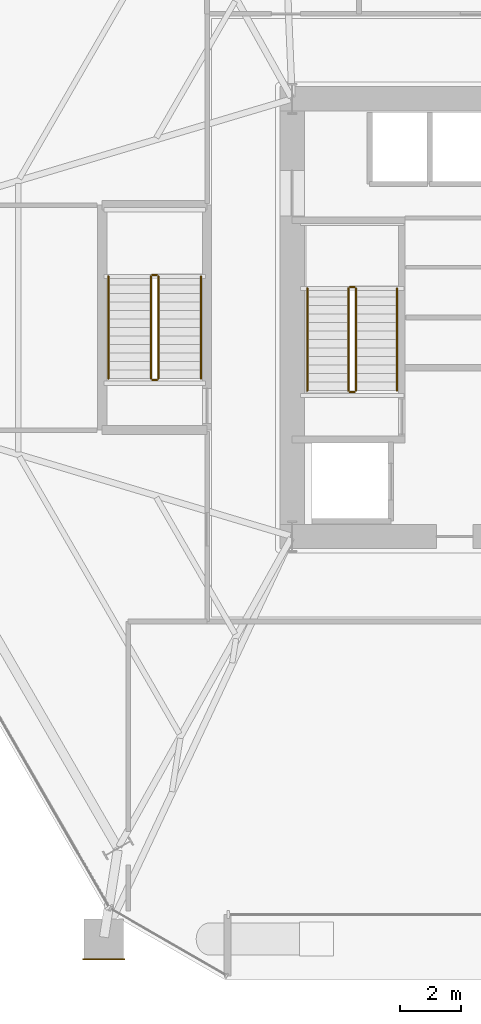
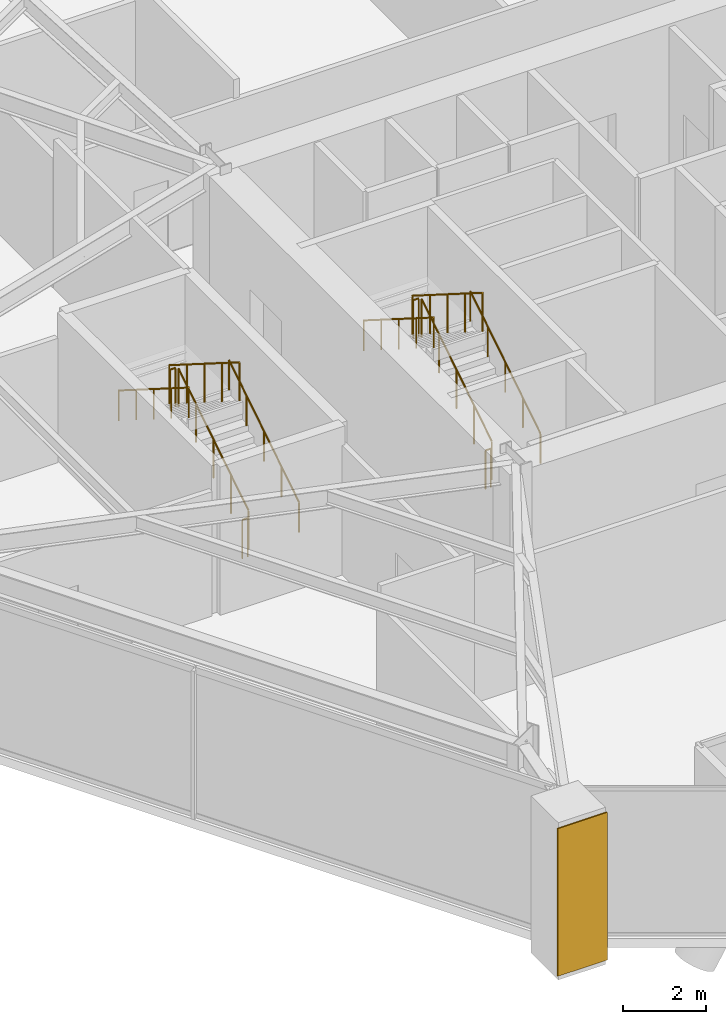
# One storey, part 20 of 23: 12 railings, 1 covering.
"""IFC4 building model written with IfcOpenShell, lengths in metres."""

import ifcopenshell
import ifcopenshell.guid

model = None  # the IFC model being written
_history = None  # IfcOwnerHistory: only IFC2X3 demands one
_inside = {}  # id of a spatial element -> (the spatial element, [elements in it])
_under = {}  # id of a project, library or spatial element -> (it, [spatial elements below it])
_declared = {}  # id of a project -> (the project, [libraries it declares])
_typed = {}  # id of a type object -> (the type object, [elements of that type])
_made_of = {}  # id of a material, layer set ... -> (it, [elements and type objects made of it])


def new_model(schema):
    """Start an empty IFC model of exactly this schema.

    Asked for "IFC4X3", IfcOpenShell would pick the latest addendum, in which some entities
    have other attributes; the version numbers below select the first issue.
    IFC2X3 requires an IfcOwnerHistory on every rooted entity: one is made here for all.
    """
    global model, _history
    if schema == "IFC4X3":
        model = ifcopenshell.file(schema_version=(4, 3, 0, 0))
    else:
        model = ifcopenshell.file(schema=schema)
    _inside.clear()
    _under.clear()
    _declared.clear()
    _typed.clear()
    _made_of.clear()
    _history = None
    if model.schema == "IFC2X3":
        org = make("IfcOrganization", Name="unknown")
        user = make(
            "IfcPersonAndOrganization",
            ThePerson=make("IfcPerson", FamilyName="unknown"),
            TheOrganization=org,
        )
        app = make(
            "IfcApplication",
            ApplicationDeveloper=org,
            Version="unknown",
            ApplicationFullName="unknown",
            ApplicationIdentifier="unknown",
        )
        _history = make(
            "IfcOwnerHistory",
            OwningUser=user,
            OwningApplication=app,
            ChangeAction="ADDED",
            CreationDate=0,
        )
    return model


def make(cls, **values):
    """One entity of the class cls with the attributes given. An attribute that is None is left unset."""
    return model.create_entity(
        cls, **{name: value for name, value in values.items() if value is not None}
    )


def rooted(cls, **values):
    """An entity with a GlobalId (a new one), such as an element, a storey or a relation."""
    return make(cls, GlobalId=ifcopenshell.guid.new(), OwnerHistory=_history, **values)


def si_unit(unit_type, name, prefix=None):
    """IfcSIUnit, for example si_unit("LENGTHUNIT", "METRE", prefix="MILLI")."""
    return make("IfcSIUnit", UnitType=unit_type, Prefix=prefix, Name=name)


def assignment(units):
    """IfcUnitAssignment: the units of a project."""
    return None if units is None else make("IfcUnitAssignment", Units=units)


def point(xyz):
    """IfcCartesianPoint."""
    return None if xyz is None else make("IfcCartesianPoint", Coordinates=xyz)


def direction(xyz):
    """IfcDirection."""
    return None if xyz is None else make("IfcDirection", DirectionRatios=xyz)


def frame(location, z_axis=None, x_axis=None):
    """IfcAxis2Placement3D, a coordinate frame: its origin and axes. An axis left out is left unset."""
    return make(
        "IfcAxis2Placement3D",
        Location=point(location),
        Axis=direction(z_axis),
        RefDirection=direction(x_axis),
    )


def frame_2d(location, x_axis=None):
    """IfcAxis2Placement2D, a coordinate frame in the plane: its origin and x axis."""
    return make(
        "IfcAxis2Placement2D", Location=point(location), RefDirection=direction(x_axis)
    )


def origin():
    """The frame at (0, 0, 0) with its axes left unset."""
    return frame((0.0, 0.0, 0.0))


def origin_2d():
    """The frame at (0, 0) in the plane with its x axis left unset."""
    return frame_2d((0.0, 0.0))


def place(relative_to, where):
    """IfcLocalPlacement: puts the frame where relative to a parent placement (None: the world)."""
    return make(
        "IfcLocalPlacement", PlacementRelTo=relative_to, RelativePlacement=where
    )


def context(
    kind, dimensions, precision=None, world=None, true_north=None, identifier=None
):
    """IfcGeometricRepresentationContext, for example the 3D "Model" context."""
    return make(
        "IfcGeometricRepresentationContext",
        ContextIdentifier=identifier,
        ContextType=kind,
        CoordinateSpaceDimension=dimensions,
        Precision=precision,
        WorldCoordinateSystem=world,
        TrueNorth=true_north,
    )


def subcontext(parent, identifier, kind, view, scale=None):
    """IfcGeometricRepresentationSubContext, for example "Body" below "Model"."""
    return make(
        "IfcGeometricRepresentationSubContext",
        ContextIdentifier=identifier,
        ContextType=kind,
        ParentContext=parent,
        TargetScale=scale,
        TargetView=view,
    )


def project(units=None, contexts=None):
    """IfcProject with its units and contexts."""
    return rooted(
        "IfcProject",
        Name="project",
        RepresentationContexts=contexts,
        UnitsInContext=assignment(units),
    )


def spatial(cls, under=None, at=None, **own):
    """A site, building, storey or space (cls), placed at a placement, below another one or the project."""
    s = rooted(cls, ObjectPlacement=at, **own)
    if under is not None:
        _under.setdefault(under.id(), (under, []))[1].append(s)
    return s


def profile(cls, at=None, kind="AREA", **sizes):
    """A parametric profile (cls). Its sizes go by their IFC names, for example OverallWidth=200.0."""
    return make(cls, ProfileType=kind, Position=at, **sizes)


def rectangle(**sizes):
    """IfcRectangleProfileDef."""
    return profile("IfcRectangleProfileDef", **sizes)


def circle(**sizes):
    """IfcCircleProfileDef."""
    return profile("IfcCircleProfileDef", **sizes)


def extrude(swept, where, along, depth):
    """IfcExtrudedAreaSolid: the profile swept, set in the frame where, extruded along a direction by depth."""
    return make(
        "IfcExtrudedAreaSolid",
        SweptArea=swept,
        Position=where,
        ExtrudedDirection=direction(along),
        Depth=depth,
    )


def shape(context_of_items, identifier, shape_type, items):
    """IfcShapeRepresentation: the items that make up one representation, for example the "Body"."""
    return make(
        "IfcShapeRepresentation",
        ContextOfItems=context_of_items,
        RepresentationIdentifier=identifier,
        RepresentationType=shape_type,
        Items=items,
    )


def material(Name=None, Category=None):
    """IfcMaterial."""
    return make("IfcMaterial", Name=Name, Category=Category)


def layer(
    of_material, thickness, ventilated=None, Name=None, Category=None, Priority=None
):
    """IfcMaterialLayer: one layer of a wall or slab, of a material (None: an air gap)."""
    return make(
        "IfcMaterialLayer",
        Material=of_material,
        LayerThickness=thickness,
        IsVentilated=ventilated,
        Name=Name,
        Category=Category,
        Priority=Priority,
    )


def layer_set(layers, Name=None):
    """IfcMaterialLayerSet."""
    return make("IfcMaterialLayerSet", MaterialLayers=layers, LayerSetName=Name)


def made_of(thing, what):
    """Note that an element or type object is made of a material, layer set ...; save() writes the relation."""
    if what is not None:
        _made_of.setdefault(what.id(), (what, []))[1].append(thing)
    return thing


def type_object(cls, material=None, **own):
    """A type object (cls), such as IfcWallType, which elements share."""
    return made_of(rooted(cls, **own), material)


def element(
    cls,
    number,
    at=None,
    inside=None,
    cuts=None,
    type_object=None,
    material=None,
    context=None,
    identifier="Body",
    shape_type=None,
    held_by="IfcProductDefinitionShape",
    body=None,
    shapes=None,
    **own,
):
    """One element of the class cls, such as IfcWall. Its Tag is "e" and its number.

    at: its placement. inside: the storey or other place that contains it. cuts: it is an
    opening in that element (IfcRelVoidsElement). A single representation is given by context,
    identifier, shape_type and body (its items); several are given by shapes. held_by: the class
    of the entity that holds the representations. save() writes the other relations.
    """
    e = rooted(cls, Tag="e%d" % number, ObjectPlacement=at, **own)
    if body is not None:
        shapes = [shape(context, identifier, shape_type, body)]
    if shapes is not None:
        e.Representation = make(held_by, Representations=shapes)
    if inside is not None:
        _inside.setdefault(inside.id(), (inside, []))[1].append(e)
    if cuts is not None:
        rooted(
            "IfcRelVoidsElement", RelatingBuildingElement=cuts, RelatedOpeningElement=e
        )
    if type_object is not None:
        _typed.setdefault(type_object.id(), (type_object, []))[1].append(e)
    return made_of(e, material)


def aggregate(whole, parts):
    """IfcRelAggregates: a whole, such as a stair, and the parts it consists of."""
    return rooted("IfcRelAggregates", RelatingObject=whole, RelatedObjects=parts)


def save(model, path):
    """Write the relations noted so far, then the file.

    IfcRelAggregates (storeys below a building ...), IfcRelContainedInSpatialStructure (elements
    in a storey), IfcRelDefinesByType, IfcRelAssociatesMaterial and IfcRelDeclares: one each for
    every whole, place, type object, material and project.
    """
    for whole, parts in _under.values():
        aggregate(whole, parts)
    for where, things in _inside.values():
        rooted(
            "IfcRelContainedInSpatialStructure",
            RelatedElements=things,
            RelatingStructure=where,
        )
    for kind, things in _typed.values():
        rooted("IfcRelDefinesByType", RelatedObjects=things, RelatingType=kind)
    for what, things in _made_of.values():
        rooted("IfcRelAssociatesMaterial", RelatedObjects=things, RelatingMaterial=what)
    for by, libraries in _declared.values():
        rooted("IfcRelDeclares", RelatingContext=by, RelatedDefinitions=libraries)
    model.write(path)


model = new_model("IFC4")

# Units and contexts
model_context = context("Model", 3, precision=1e-05, world=origin(), true_north=direction((0.0, 1.0)))
body_context = subcontext(model_context, "Body", "Model", "MODEL_VIEW")
ifc_project = project(units=[si_unit("LENGTHUNIT", "METRE"), si_unit("AREAUNIT", "SQUARE_METRE"), si_unit("VOLUMEUNIT", "CUBIC_METRE"), si_unit("PLANEANGLEUNIT", "RADIAN"), si_unit("MASSUNIT", "GRAM", prefix="KILO")], contexts=[model_context])

# Site, building, storey
site_placement = place(None, origin())
site = spatial("IfcSite", under=ifc_project, at=site_placement, CompositionType="ELEMENT")
building_placement = place(site_placement, origin())
building = spatial("IfcBuilding", under=site, at=building_placement, Name="Kranzbogen Civic Tower", CompositionType="ELEMENT")
storey_placement = place(building_placement, frame((0.0, 0.0, 9.800048828125)))
storey = spatial("IfcBuildingStorey", under=building, at=storey_placement, Name="L02", CompositionType="ELEMENT", Elevation=9.800048828125)

# Railings
ifc_material_1 = material(Name="Steel S355", Category="steel")
railing_type_1 = type_object("IfcRailingType", Name="Internal Stair and Void Steel Guardrail 1150", PredefinedType="GUARDRAIL", material=ifc_material_1)
railing_1_placement = place(storey_placement, frame((19.300048828125, 22.60009765625, 0.1767578125)))
element("IfcRailing", 1, at=railing_1_placement, inside=storey, type_object=railing_type_1, Name="L02 ST-T1 stair guard 1", PredefinedType="GUARDRAIL", context=body_context, shape_type="SweptSolid", body=[
    extrude(circle(Radius=0.02392578125, at=origin_2d()), frame((0.0, 0.0, 1.1259765625), z_axis=(0.0, 0.845344368971, 0.534221768416), x_axis=(-1.0, 0.0, 0.0)), (0.0, 0.0, 1.0), 3.974609375),
    extrude(circle(Radius=0.02099609375, at=origin_2d()), origin(), (0.0, 0.0, 1.0), 1.101806640625),
    extrude(circle(Radius=0.02099609375, at=origin_2d()), frame((0.0, 0.83984375, 0.53076171875)), (0.0, 0.0, 1.0), 1.101806640625),
    extrude(circle(Radius=0.02099609375, at=origin_2d()), frame((0.0, 1.679931640625, 1.0615234375)), (0.0, 0.0, 1.0), 1.101806640625),
    extrude(circle(Radius=0.02099609375, at=origin_2d()), frame((0.0, 2.52001953125, 1.592529296875)), (0.0, 0.0, 1.0), 1.101806640625),
    extrude(circle(Radius=0.02099609375, at=origin_2d()), frame((0.0, 3.35986328125, 2.123291015625)), (0.0, 0.0, 1.0), 1.101806640625),
])
railing_2_placement = place(storey_placement, frame((19.25, 26.010009765625, 2.300048828125)))
element("IfcRailing", 2, at=railing_2_placement, inside=storey, type_object=railing_type_1, Name="L02 ST-T1 stair guard 2", PredefinedType="GUARDRAIL", context=body_context, shape_type="SweptSolid", body=[
    extrude(circle(Radius=0.02392578125, at=origin_2d()), frame((0.0, 0.0, 1.1259765625), z_axis=(-1.0, 0.0, 0.0), x_axis=(0.0, -1.0, 0.0)), (0.0, 0.0, 1.0), 0.14990234375),
    extrude(circle(Radius=0.02099609375, at=origin_2d()), origin(), (0.0, 0.0, 1.0), 1.101806640625),
    extrude(circle(Radius=0.02099609375, at=origin_2d()), frame((-0.14990234375, 0.0, 0.0)), (0.0, 0.0, 1.0), 1.101806640625),
])
railing_3_placement = place(storey_placement, frame((19.050048828125, 25.9599609375, 2.476806640625)))
element("IfcRailing", 3, at=railing_3_placement, inside=storey, type_object=railing_type_1, Name="L02 ST-T1 stair guard 3", PredefinedType="GUARDRAIL", context=body_context, shape_type="SweptSolid", body=[
    extrude(circle(Radius=0.02392578125, at=origin_2d()), frame((0.0, 0.0, 1.1259765625), z_axis=(0.0, -0.845372108799, 0.534177870812), x_axis=(1.0, 0.0, 0.0)), (0.0, 0.0, 1.0), 3.974365234375),
    extrude(circle(Radius=0.02099609375, at=origin_2d()), origin(), (0.0, 0.0, 1.0), 1.101806640625),
    extrude(circle(Radius=0.02099609375, at=origin_2d()), frame((0.0, -0.83984375, 0.53076171875)), (0.0, 0.0, 1.0), 1.101806640625),
    extrude(circle(Radius=0.02099609375, at=origin_2d()), frame((0.0, -1.679931640625, 1.0615234375)), (0.0, 0.0, 1.0), 1.101806640625),
    extrude(circle(Radius=0.02099609375, at=origin_2d()), frame((0.0, -2.52001953125, 1.59228515625)), (0.0, 0.0, 1.0), 1.101806640625),
    extrude(circle(Radius=0.02099609375, at=origin_2d()), frame((0.0, -3.35986328125, 2.123046875)), (0.0, 0.0, 1.0), 1.101806640625),
])
railing_4_placement = place(storey_placement, frame((19.25, 22.550048828125, 0.0)))
element("IfcRailing", 4, at=railing_4_placement, inside=storey, type_object=railing_type_1, Name="L02 ST-T1 stair guard 4", PredefinedType="GUARDRAIL", context=body_context, shape_type="SweptSolid", body=[
    extrude(circle(Radius=0.02392578125, at=origin_2d()), frame((0.0, 0.0, 1.1259765625), z_axis=(-1.0, 0.0, 0.0), x_axis=(0.0, -1.0, 0.0)), (0.0, 0.0, 1.0), 0.14990234375),
    extrude(circle(Radius=0.02099609375, at=origin_2d()), origin(), (0.0, 0.0, 1.0), 1.101806640625),
    extrude(circle(Radius=0.02099609375, at=origin_2d()), frame((-0.14990234375, 0.0, 0.0)), (0.0, 0.0, 1.0), 1.101806640625),
])
railing_5_placement = place(storey_placement, frame((12.800048828125, 23.0, 0.1767578125)))
element("IfcRailing", 5, at=railing_5_placement, inside=storey, type_object=railing_type_1, Name="L02 ST-P1 stair guard 1", PredefinedType="GUARDRAIL", context=body_context, shape_type="SweptSolid", body=[
    extrude(circle(Radius=0.02392578125, at=origin_2d()), frame((0.0, 0.0, 1.1259765625), z_axis=(0.0, 0.845361898145, 0.534194029511), x_axis=(-1.0, 0.0, 0.0)), (0.0, 0.0, 1.0), 3.974853515625),
    extrude(circle(Radius=0.02099609375, at=origin_2d()), origin(), (0.0, 0.0, 1.0), 1.101806640625),
    extrude(circle(Radius=0.02099609375, at=origin_2d()), frame((0.0, 0.840087890625, 0.53076171875)), (0.0, 0.0, 1.0), 1.101806640625),
    extrude(circle(Radius=0.02099609375, at=origin_2d()), frame((0.0, 1.68017578125, 1.0615234375)), (0.0, 0.0, 1.0), 1.101806640625),
    extrude(circle(Radius=0.02099609375, at=origin_2d()), frame((0.0, 2.52001953125, 1.592529296875)), (0.0, 0.0, 1.0), 1.101806640625),
    extrude(circle(Radius=0.02099609375, at=origin_2d()), frame((0.0, 3.360107421875, 2.123291015625)), (0.0, 0.0, 1.0), 1.101806640625),
])
railing_6_placement = place(storey_placement, frame((12.75, 26.409912109375, 2.300048828125)))
element("IfcRailing", 6, at=railing_6_placement, inside=storey, type_object=railing_type_1, Name="L02 ST-P1 stair guard 2", PredefinedType="GUARDRAIL", context=body_context, shape_type="SweptSolid", body=[
    extrude(circle(Radius=0.02392578125, at=origin_2d()), frame((0.0, 0.0, 1.1259765625), z_axis=(-1.0, 0.0, 0.0), x_axis=(0.0, -1.0, 0.0)), (0.0, 0.0, 1.0), 0.14990234375),
    extrude(circle(Radius=0.02099609375, at=origin_2d()), origin(), (0.0, 0.0, 1.0), 1.101806640625),
    extrude(circle(Radius=0.02099609375, at=origin_2d()), frame((-0.14990234375, 0.0, 0.0)), (0.0, 0.0, 1.0), 1.101806640625),
])
railing_7_placement = place(storey_placement, frame((12.550048828125, 26.360107421875, 2.476806640625)))
element("IfcRailing", 7, at=railing_7_placement, inside=storey, type_object=railing_type_1, Name="L02 ST-P1 stair guard 3", PredefinedType="GUARDRAIL", context=body_context, shape_type="SweptSolid", body=[
    extrude(circle(Radius=0.02392578125, at=origin_2d()), frame((0.0, 0.0, 1.1259765625), z_axis=(0.0, -0.845389635667, 0.534150132366), x_axis=(1.0, 0.0, 0.0)), (0.0, 0.0, 1.0), 3.974609375),
    extrude(circle(Radius=0.02099609375, at=origin_2d()), origin(), (0.0, 0.0, 1.0), 1.101806640625),
    extrude(circle(Radius=0.02099609375, at=origin_2d()), frame((0.0, -0.840087890625, 0.53076171875)), (0.0, 0.0, 1.0), 1.101806640625),
    extrude(circle(Radius=0.02099609375, at=origin_2d()), frame((0.0, -1.68017578125, 1.0615234375)), (0.0, 0.0, 1.0), 1.101806640625),
    extrude(circle(Radius=0.02099609375, at=origin_2d()), frame((0.0, -2.52001953125, 1.59228515625)), (0.0, 0.0, 1.0), 1.101806640625),
    extrude(circle(Radius=0.02099609375, at=origin_2d()), frame((0.0, -3.360107421875, 2.123046875)), (0.0, 0.0, 1.0), 1.101806640625),
])
railing_8_placement = place(storey_placement, frame((12.75, 22.949951171875, 0.0)))
element("IfcRailing", 8, at=railing_8_placement, inside=storey, type_object=railing_type_1, Name="L02 ST-P1 stair guard 4", PredefinedType="GUARDRAIL", context=body_context, shape_type="SweptSolid", body=[
    extrude(circle(Radius=0.02392578125, at=origin_2d()), frame((0.0, 0.0, 1.1259765625), z_axis=(-1.0, 0.0, 0.0), x_axis=(0.0, -1.0, 0.0)), (0.0, 0.0, 1.0), 0.14990234375),
    extrude(circle(Radius=0.02099609375, at=origin_2d()), origin(), (0.0, 0.0, 1.0), 1.101806640625),
    extrude(circle(Radius=0.02099609375, at=origin_2d()), frame((-0.14990234375, 0.0, 0.0)), (0.0, 0.0, 1.0), 1.101806640625),
])

# Covering
ifc_material_2 = material(Name="Anodised Bronze Aluminium", Category="aluminium")
ifc_layer = layer(ifc_material_2, 0.034912109375, Name="Anodised Bronze Aluminium")
ifc_layer_set = layer_set([ifc_layer], Name="Anodised Bronze Aluminium")
covering_type = type_object("IfcCoveringType", Name="Portal Arch Pier Anodised Metal Cladding 35 mm", PredefinedType="CLADDING", material=ifc_layer_set)
covering_placement = place(storey_placement, frame((11.0, 3.882080078125, 0.14013671875), z_axis=(0.0, 0.0, 1.0), x_axis=(1.0, 0.0, 0.0)))
element("IfcCovering", 9, at=covering_placement, inside=storey, type_object=covering_type, Name="L02 portal arch pier 1 cladding", PredefinedType="CLADDING", context=body_context, shape_type="SweptSolid", body=[
    extrude(rectangle(XDim=1.3701171875, YDim=0.034912109375, at=origin_2d()), origin(), (0.0, 0.0, 1.0), 4.320068359375),
])

# Railings
ifc_material_3 = material(Name="Pale Anodised Aluminium", Category="aluminium")
railing_type_2 = type_object("IfcRailingType", Name="Tubular Stainless Stair Wall Handrail 900", PredefinedType="HANDRAIL", material=ifc_material_3)
railing_9_placement = place(storey_placement, frame((20.64990234375, 22.60009765625, 0.1767578125)))
element("IfcRailing", 10, at=railing_9_placement, inside=storey, type_object=railing_type_2, Name="L02 ST-T1 stair handrail 1", PredefinedType="HANDRAIL", context=body_context, shape_type="SweptSolid", body=[
    extrude(circle(Radius=0.02392578125, at=origin_2d()), frame((0.0, 0.0, 0.8759765625), z_axis=(0.0, 0.845344368971, 0.534221768416), x_axis=(-1.0, 0.0, 0.0)), (0.0, 0.0, 1.0), 3.974609375),
    extrude(circle(Radius=0.02099609375, at=origin_2d()), origin(), (0.0, 0.0, 1.0), 0.851806640625),
    extrude(circle(Radius=0.02099609375, at=origin_2d()), frame((0.0, 0.83984375, 0.53076171875)), (0.0, 0.0, 1.0), 0.851806640625),
    extrude(circle(Radius=0.02099609375, at=origin_2d()), frame((0.0, 1.679931640625, 1.0615234375)), (0.0, 0.0, 1.0), 0.851806640625),
    extrude(circle(Radius=0.02099609375, at=origin_2d()), frame((0.0, 2.52001953125, 1.592529296875)), (0.0, 0.0, 1.0), 0.851806640625),
    extrude(circle(Radius=0.02099609375, at=origin_2d()), frame((0.0, 3.35986328125, 2.123291015625)), (0.0, 0.0, 1.0), 0.851806640625),
])
railing_10_placement = place(storey_placement, frame((17.699951171875, 25.9599609375, 2.476806640625)))
element("IfcRailing", 11, at=railing_10_placement, inside=storey, type_object=railing_type_2, Name="L02 ST-T1 stair handrail 2", PredefinedType="HANDRAIL", context=body_context, shape_type="SweptSolid", body=[
    extrude(circle(Radius=0.02392578125, at=origin_2d()), frame((0.0, 0.0, 0.8759765625), z_axis=(0.0, -0.845372108799, 0.534177870812), x_axis=(1.0, 0.0, 0.0)), (0.0, 0.0, 1.0), 3.974365234375),
    extrude(circle(Radius=0.02099609375, at=origin_2d()), origin(), (0.0, 0.0, 1.0), 0.851806640625),
    extrude(circle(Radius=0.02099609375, at=origin_2d()), frame((0.0, -0.83984375, 0.53076171875)), (0.0, 0.0, 1.0), 0.851806640625),
    extrude(circle(Radius=0.02099609375, at=origin_2d()), frame((0.0, -1.679931640625, 1.0615234375)), (0.0, 0.0, 1.0), 0.851806640625),
    extrude(circle(Radius=0.02099609375, at=origin_2d()), frame((0.0, -2.52001953125, 1.59228515625)), (0.0, 0.0, 1.0), 0.851806640625),
    extrude(circle(Radius=0.02099609375, at=origin_2d()), frame((0.0, -3.35986328125, 2.123046875)), (0.0, 0.0, 1.0), 0.851806640625),
])
railing_11_placement = place(storey_placement, frame((14.199951171875, 23.0, 0.1767578125)))
element("IfcRailing", 12, at=railing_11_placement, inside=storey, type_object=railing_type_2, Name="L02 ST-P1 stair handrail 1", PredefinedType="HANDRAIL", context=body_context, shape_type="SweptSolid", body=[
    extrude(circle(Radius=0.02392578125, at=origin_2d()), frame((0.0, 0.0, 0.8759765625), z_axis=(0.0, 0.845361898145, 0.534194029511), x_axis=(-1.0, 0.0, 0.0)), (0.0, 0.0, 1.0), 3.974853515625),
    extrude(circle(Radius=0.02099609375, at=origin_2d()), origin(), (0.0, 0.0, 1.0), 0.851806640625),
    extrude(circle(Radius=0.02099609375, at=origin_2d()), frame((0.0, 0.840087890625, 0.53076171875)), (0.0, 0.0, 1.0), 0.851806640625),
    extrude(circle(Radius=0.02099609375, at=origin_2d()), frame((0.0, 1.68017578125, 1.0615234375)), (0.0, 0.0, 1.0), 0.851806640625),
    extrude(circle(Radius=0.02099609375, at=origin_2d()), frame((0.0, 2.52001953125, 1.592529296875)), (0.0, 0.0, 1.0), 0.851806640625),
    extrude(circle(Radius=0.02099609375, at=origin_2d()), frame((0.0, 3.360107421875, 2.123291015625)), (0.0, 0.0, 1.0), 0.851806640625),
])
railing_12_placement = place(storey_placement, frame((11.14990234375, 26.360107421875, 2.476806640625)))
element("IfcRailing", 13, at=railing_12_placement, inside=storey, type_object=railing_type_2, Name="L02 ST-P1 stair handrail 2", PredefinedType="HANDRAIL", context=body_context, shape_type="SweptSolid", body=[
    extrude(circle(Radius=0.02392578125, at=origin_2d()), frame((0.0, 0.0, 0.8759765625), z_axis=(0.0, -0.845389635667, 0.534150132366), x_axis=(1.0, 0.0, 0.0)), (0.0, 0.0, 1.0), 3.974609375),
    extrude(circle(Radius=0.02099609375, at=origin_2d()), origin(), (0.0, 0.0, 1.0), 0.851806640625),
    extrude(circle(Radius=0.02099609375, at=origin_2d()), frame((0.0, -0.840087890625, 0.53076171875)), (0.0, 0.0, 1.0), 0.851806640625),
    extrude(circle(Radius=0.02099609375, at=origin_2d()), frame((0.0, -1.68017578125, 1.0615234375)), (0.0, 0.0, 1.0), 0.851806640625),
    extrude(circle(Radius=0.02099609375, at=origin_2d()), frame((0.0, -2.52001953125, 1.59228515625)), (0.0, 0.0, 1.0), 0.851806640625),
    extrude(circle(Radius=0.02099609375, at=origin_2d()), frame((0.0, -3.360107421875, 2.123046875)), (0.0, 0.0, 1.0), 0.851806640625),
])

save(model, "model.ifc")
